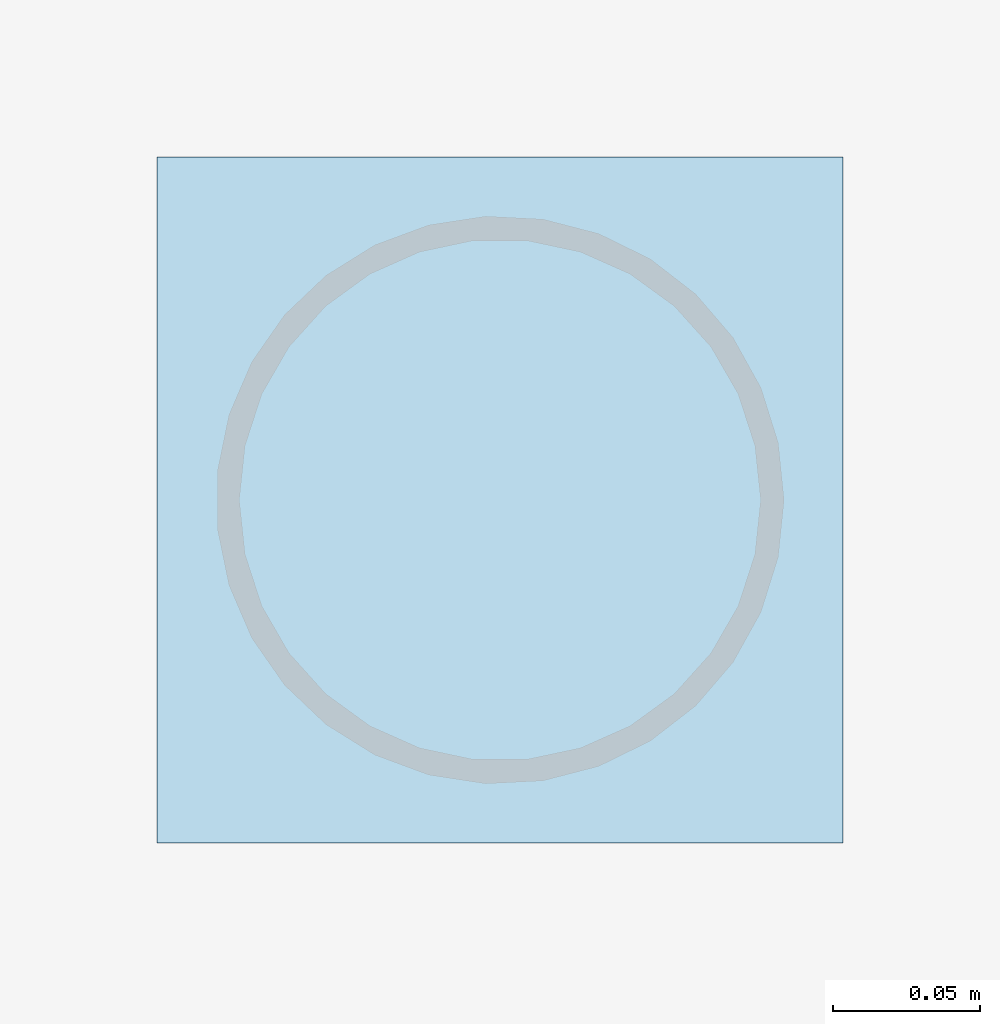
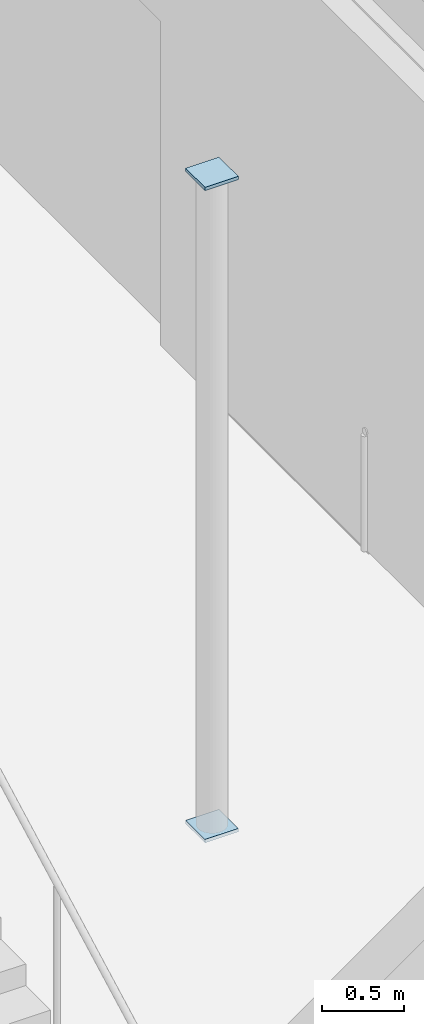
# One storey, part 147 of 199: 2 plates.
"""IFC4 building model written with IfcOpenShell, lengths in metres."""

from ifc_helpers import new_model, si_unit, direction, frame, origin, origin_2d, place, context, subcontext, project, spatial, rectangle, extrude, material, layer, layer_set, type_object, element, save


model = new_model("IFC4")

# Units and contexts
model_context = context("Model", 3, precision=1e-05, world=origin(), true_north=direction((0.0, 1.0)))
body_context = subcontext(model_context, "Body", "Model", "MODEL_VIEW")
ifc_project = project(units=[si_unit("LENGTHUNIT", "METRE"), si_unit("AREAUNIT", "SQUARE_METRE"), si_unit("VOLUMEUNIT", "CUBIC_METRE"), si_unit("PLANEANGLEUNIT", "RADIAN"), si_unit("MASSUNIT", "GRAM", prefix="KILO")], contexts=[model_context])

# Site, building, storey
site_placement = place(None, origin())
site = spatial("IfcSite", under=ifc_project, at=site_placement, CompositionType="ELEMENT")
building_placement = place(site_placement, origin())
building = spatial("IfcBuilding", under=site, at=building_placement, Name="Tarnwether General Hospital", CompositionType="ELEMENT")
storey_placement = place(building_placement, origin())
storey = spatial("IfcBuildingStorey", under=building, at=storey_placement, Name="L00", CompositionType="ELEMENT", Elevation=0.0)

# Plates
ifc_material = material(Name="Steel Grade 350 (350 MPa)", Category="steel")
ifc_layer = layer(ifc_material, 0.02490234375)
ifc_layer_set = layer_set([ifc_layer], Name="Steel Grade 350 (350 MPa)")
plate_type = type_object("IfcPlateType", Name="PT-GUS2", PredefinedType="USERDEFINED", material=ifc_layer_set)
for number, where, z_axis, x_axis, name in (
    (1, (141.60009765625, 54.60009765625, -0.02490234375), (0.0, 0.0, 1.0), (1.0, 0.0, 0.0), "Hollow Section Welded End Cap Plate 0437"),
    (2, (141.60009765625, 54.60009765625, 4.800048828125), (0.0, 0.0, 1.0), (1.0, 0.0, 0.0), "Hollow Section Welded End Cap Plate 0438"),
):
    element("IfcPlate", number, at=place(storey_placement, frame(where, z_axis=z_axis, x_axis=x_axis)), inside=storey, type_object=plate_type, Name=name, ObjectType="GUSSET", PredefinedType="USERDEFINED", context=body_context, shape_type="SweptSolid", body=[
        extrude(rectangle(XDim=0.23388671875, YDim=0.23388671875, at=origin_2d()), origin(), (0.0, 0.0, 1.0), 0.02490234375),
    ])

save(model, "model.ifc")
